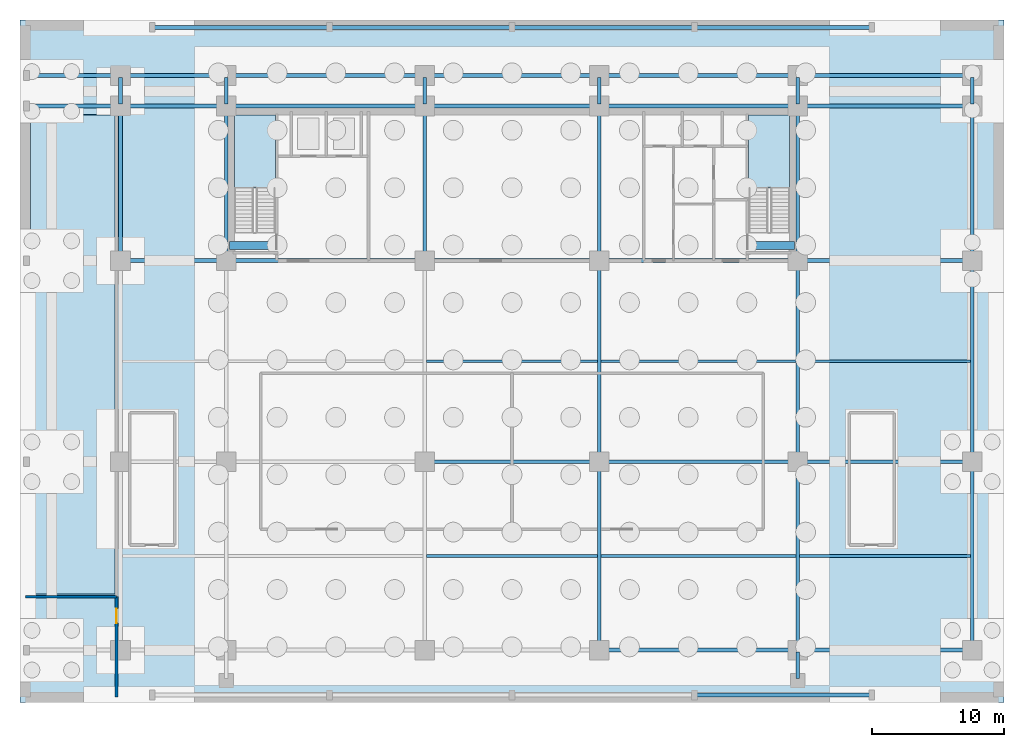
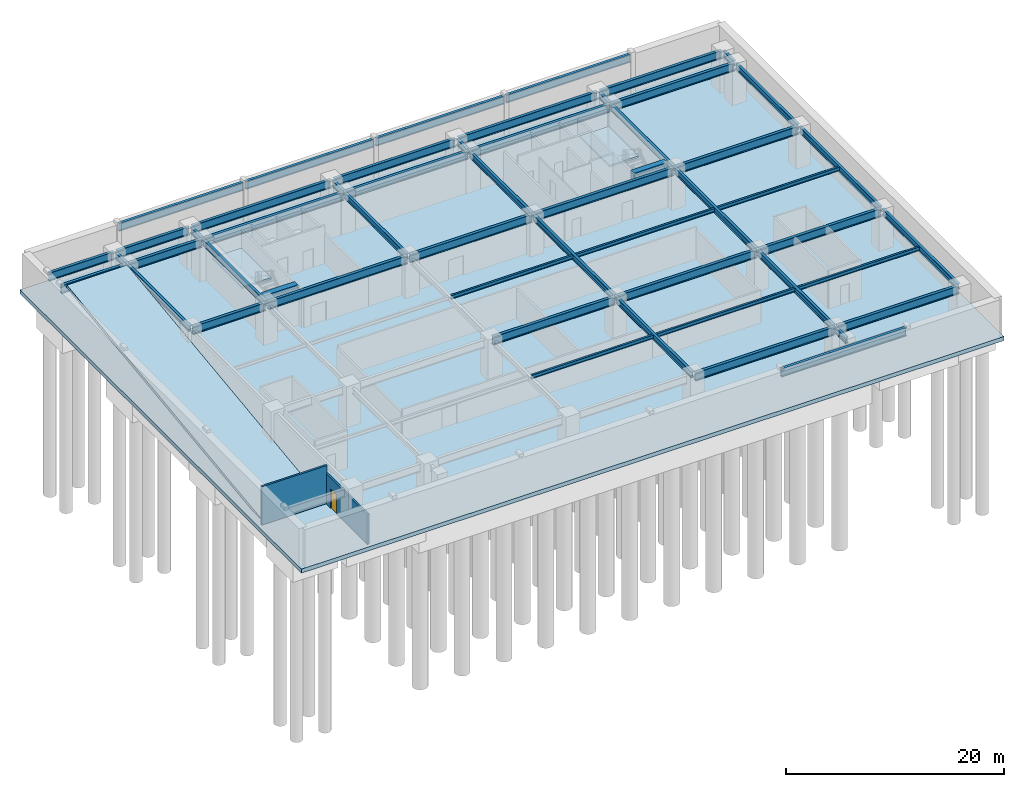
# One storey, part 3 of 9: 54 beams, 4 slabs, 2 walls, 1 door, 1 opening, 2 elements without a shape of their own.
"""IFC4 building model written with IfcOpenShell, lengths in metres."""

from ifc_helpers import new_model, si_unit, direction, frame, frame_2d, origin, origin_2d, place, context, subcontext, project, spatial, polyline, rectangle, i_section, outline, extrude, source, transform, mapped, material, layer, layer_set, material_profile, profile_set, type_object, element, fill, aggregate, save


model = new_model("IFC4")

# Units and contexts
model_context = context("Model", 3, precision=1e-05, world=origin(), true_north=direction((0.0, 1.0)))
body_context = subcontext(model_context, "Body", "Model", "MODEL_VIEW")
ifc_project = project(units=[si_unit("LENGTHUNIT", "METRE"), si_unit("AREAUNIT", "SQUARE_METRE"), si_unit("VOLUMEUNIT", "CUBIC_METRE"), si_unit("PLANEANGLEUNIT", "RADIAN"), si_unit("MASSUNIT", "GRAM", prefix="KILO")], contexts=[model_context])

# Site, building, storey
site_placement = place(None, origin())
site = spatial("IfcSite", under=ifc_project, at=site_placement, CompositionType="ELEMENT")
building_placement = place(site_placement, origin())
building = spatial("IfcBuilding", under=site, at=building_placement, Name="Trelvane Seafront Commons", CompositionType="ELEMENT")
storey_placement = place(building_placement, frame((0.0, 0.0, -13.199951171875)))
storey = spatial("IfcBuildingStorey", under=building, at=storey_placement, Name="B03", CompositionType="ELEMENT", Elevation=-13.199951171875)

# Beams
ifc_material_1 = material(Name="Steel SM355 (S355)", Category="steel")
ifc_material_profile_1 = material_profile(ifc_material_1, i_section(OverallWidth=0.300048828125, OverallDepth=0.89990234375, WebThickness=0.01611328125, FlangeThickness=0.028076171875, at=origin_2d()), Name="H-900x300x16x28")
ifc_profile_set_1 = profile_set([ifc_material_profile_1], Name="Steel SM355 (S355)")
beam_type_1 = type_object("IfcBeamType", Name="STR-BM-H900", PredefinedType="BEAM", material=ifc_profile_set_1)
shared_shape_1 = source(origin(), body_context, "Body", "SweptSolid", [
    extrude(i_section(OverallWidth=0.300048828125, OverallDepth=0.89990234375, WebThickness=0.01611328125, FlangeThickness=0.028076171875, at=origin_2d()), origin(), (0.0, 0.0, 1.0), 13.175048828125),
])
for number, where, z_axis, x_axis, name in (
    (1, (51.112548828125, 0.550048828125, 3.829833984375), (1.0, 0.0, 0.0), (0.0, 1.0, 0.0), "B03 Primary Girder G-04"),
    (2, (10.112548828125, 51.050048828125, 3.829833984375), (1.0, 0.0, 0.0), (0.0, 1.0, 0.0), "B03 Primary Girder G-35"),
    (3, (51.112548828125, 51.050048828125, 3.829833984375), (1.0, 0.0, 0.0), (0.0, 1.0, 0.0), "B03 Primary Girder G-38"),
):
    element("IfcBeam", number, at=place(storey_placement, frame(where, z_axis=z_axis, x_axis=x_axis)), inside=storey, type_object=beam_type_1, Name=name, PredefinedType="BEAM", context=body_context, shape_type="MappedRepresentation", body=[
        mapped(shared_shape_1, transform((0.0, 0.0, 0.0), x_axis=(1.0, 0.0, 0.0), y_axis=(0.0, 1.0, 0.0), z_axis=(0.0, 0.0, 1.0), scale=1.0)),
    ])
shared_shape_2 = source(origin(), body_context, "Body", "SweptSolid", [
    extrude(i_section(OverallWidth=0.300048828125, OverallDepth=0.89990234375, WebThickness=0.01611328125, FlangeThickness=0.028076171875, at=origin_2d()), origin(), (0.0, 0.0, 1.0), 13.574951171875),
])
for number, where, z_axis, x_axis, name in (
    (4, (23.512451171875, 51.050048828125, 3.829833984375), (1.0, 0.0, 0.0), (0.0, 1.0, 0.0), "B03 Primary Girder G-36"),
    (5, (37.3125, 51.050048828125, 3.829833984375), (1.0, 0.0, 0.0), (0.0, 1.0, 0.0), "B03 Primary Girder G-37"),
):
    element("IfcBeam", number, at=place(storey_placement, frame(where, z_axis=z_axis, x_axis=x_axis)), inside=storey, type_object=beam_type_1, Name=name, PredefinedType="BEAM", context=body_context, shape_type="MappedRepresentation", body=[
        mapped(shared_shape_2, transform((0.0, 0.0, 0.0), x_axis=(1.0, 0.0, 0.0), y_axis=(0.0, 1.0, 0.0), z_axis=(0.0, 0.0, 1.0), scale=1.0)),
    ])
shared_shape_3 = source(origin(), body_context, "Body", "SweptSolid", [
    extrude(i_section(OverallWidth=0.300048828125, OverallDepth=0.89990234375, WebThickness=0.01611328125, FlangeThickness=0.028076171875, at=origin_2d()), origin(), (0.0, 0.0, 1.0), 6.83740234375),
])
for number, where, z_axis, x_axis, name in (
    (6, (0.612548828125, 45.10009765625, 3.829833984375), (1.0, 0.0, 0.0), (0.0, 1.0, 0.0), "B03 Primary Girder G-23"),
    (7, (0.612548828125, 47.39990234375, 3.829833984375), (1.0, 0.0, 0.0), (0.0, 1.0, 0.0), "B03 Primary Girder G-29"),
):
    element("IfcBeam", number, at=place(storey_placement, frame(where, z_axis=z_axis, x_axis=x_axis)), inside=storey, type_object=beam_type_1, Name=name, PredefinedType="BEAM", context=body_context, shape_type="MappedRepresentation", body=[
        mapped(shared_shape_3, transform((0.0, 0.0, 0.0), x_axis=(1.0, 0.0, 0.0), y_axis=(0.0, 1.0, 0.0), z_axis=(0.0, 0.0, 1.0), scale=1.0)),
    ])
shared_shape_4 = source(origin(), body_context, "Body", "SweptSolid", [
    extrude(i_section(OverallWidth=0.300048828125, OverallDepth=0.89990234375, WebThickness=0.01611328125, FlangeThickness=0.028076171875, at=origin_2d()), origin(), (0.0, 0.0, 1.0), 7.699951171875),
])
for number, where, z_axis, x_axis, name in (
    (8, (7.75, 33.39990234375, 3.829833984375), (1.0, 0.0, 0.0), (0.0, 1.0, 0.0), "B03 Primary Girder G-18"),
    (9, (7.75, 45.10009765625, 3.829833984375), (1.0, 0.0, 0.0), (0.0, 1.0, 0.0), "B03 Primary Girder G-24"),
    (10, (7.75, 47.39990234375, 3.829833984375), (1.0, 0.0, 0.0), (0.0, 1.0, 0.0), "B03 Primary Girder G-30"),
):
    element("IfcBeam", number, at=place(storey_placement, frame(where, z_axis=z_axis, x_axis=x_axis)), inside=storey, type_object=beam_type_1, Name=name, PredefinedType="BEAM", context=body_context, shape_type="MappedRepresentation", body=[
        mapped(shared_shape_4, transform((0.0, 0.0, 0.0), x_axis=(1.0, 0.0, 0.0), y_axis=(0.0, 1.0, 0.0), z_axis=(0.0, 0.0, 1.0), scale=1.0)),
    ])
shared_shape_5 = source(origin(), body_context, "Body", "SweptSolid", [
    extrude(i_section(OverallWidth=0.300048828125, OverallDepth=0.89990234375, WebThickness=0.01611328125, FlangeThickness=0.028076171875, at=origin_2d()), origin(), (0.0, 0.0, 1.0), 14.699951171875),
])
for number, where, z_axis, x_axis, name in (
    (11, (43.949951171875, 3.949951171875, 3.829833984375), (1.0, 0.0, 0.0), (0.0, 1.0, 0.0), "B03 Primary Girder G-09"),
    (12, (43.949951171875, 18.199951171875, 3.829833984375), (1.0, 0.0, 0.0), (0.0, 1.0, 0.0), "B03 Primary Girder G-15"),
    (13, (15.75, 33.39990234375, 3.829833984375), (1.0, 0.0, 0.0), (0.0, 1.0, 0.0), "B03 Primary Girder G-19"),
    (14, (43.949951171875, 33.39990234375, 3.829833984375), (1.0, 0.0, 0.0), (0.0, 1.0, 0.0), "B03 Primary Girder G-21"),
    (15, (15.75, 45.10009765625, 3.829833984375), (1.0, 0.0, 0.0), (0.0, 1.0, 0.0), "B03 Primary Girder G-25"),
    (16, (43.949951171875, 45.10009765625, 3.829833984375), (1.0, 0.0, 0.0), (0.0, 1.0, 0.0), "B03 Primary Girder G-27"),
    (17, (15.75, 47.39990234375, 3.829833984375), (1.0, 0.0, 0.0), (0.0, 1.0, 0.0), "B03 Primary Girder G-31"),
    (18, (43.949951171875, 47.39990234375, 3.829833984375), (1.0, 0.0, 0.0), (0.0, 1.0, 0.0), "B03 Primary Girder G-33"),
):
    element("IfcBeam", number, at=place(storey_placement, frame(where, z_axis=z_axis, x_axis=x_axis)), inside=storey, type_object=beam_type_1, Name=name, PredefinedType="BEAM", context=body_context, shape_type="MappedRepresentation", body=[
        mapped(shared_shape_5, transform((0.0, 0.0, 0.0), x_axis=(1.0, 0.0, 0.0), y_axis=(0.0, 1.0, 0.0), z_axis=(0.0, 0.0, 1.0), scale=1.0)),
    ])
shared_shape_6 = source(origin(), body_context, "Body", "SweptSolid", [
    extrude(i_section(OverallWidth=0.300048828125, OverallDepth=0.89990234375, WebThickness=0.01611328125, FlangeThickness=0.028076171875, at=origin_2d()), origin(), (0.0, 0.0, 1.0), 12.89990234375),
])
for number, where, z_axis, x_axis, name in (
    (19, (30.75, 18.199951171875, 3.829833984375), (1.0, 0.0, 0.0), (0.0, 1.0, 0.0), "B03 Primary Girder G-14"),
    (20, (30.75, 33.39990234375, 3.829833984375), (1.0, 0.0, 0.0), (0.0, 1.0, 0.0), "B03 Primary Girder G-20"),
    (21, (30.75, 45.10009765625, 3.829833984375), (1.0, 0.0, 0.0), (0.0, 1.0, 0.0), "B03 Primary Girder G-26"),
    (22, (30.75, 47.39990234375, 3.829833984375), (1.0, 0.0, 0.0), (0.0, 1.0, 0.0), "B03 Primary Girder G-32"),
):
    element("IfcBeam", number, at=place(storey_placement, frame(where, z_axis=z_axis, x_axis=x_axis)), inside=storey, type_object=beam_type_1, Name=name, PredefinedType="BEAM", context=body_context, shape_type="MappedRepresentation", body=[
        mapped(shared_shape_6, transform((0.0, 0.0, 0.0), x_axis=(1.0, 0.0, 0.0), y_axis=(0.0, 1.0, 0.0), z_axis=(0.0, 0.0, 1.0), scale=1.0)),
    ])
shared_shape_7 = source(origin(), body_context, "Body", "SweptSolid", [
    extrude(i_section(OverallWidth=0.300048828125, OverallDepth=0.89990234375, WebThickness=0.01611328125, FlangeThickness=0.028076171875, at=origin_2d()), origin(), (0.0, 0.0, 1.0), 12.900146484375),
])
for number, where, z_axis, x_axis, name in (
    (23, (58.949951171875, 3.949951171875, 3.829833984375), (1.0, 0.0, 0.0), (0.0, 1.0, 0.0), "B03 Primary Girder G-10"),
    (24, (58.949951171875, 18.199951171875, 3.829833984375), (1.0, 0.0, 0.0), (0.0, 1.0, 0.0), "B03 Primary Girder G-16"),
    (25, (58.949951171875, 33.39990234375, 3.829833984375), (1.0, 0.0, 0.0), (0.0, 1.0, 0.0), "B03 Primary Girder G-22"),
    (26, (58.949951171875, 45.10009765625, 3.829833984375), (1.0, 0.0, 0.0), (0.0, 1.0, 0.0), "B03 Primary Girder G-28"),
    (27, (58.949951171875, 47.39990234375, 3.829833984375), (1.0, 0.0, 0.0), (0.0, 1.0, 0.0), "B03 Primary Girder G-34"),
):
    element("IfcBeam", number, at=place(storey_placement, frame(where, z_axis=z_axis, x_axis=x_axis)), inside=storey, type_object=beam_type_1, Name=name, PredefinedType="BEAM", context=body_context, shape_type="MappedRepresentation", body=[
        mapped(shared_shape_7, transform((0.0, 0.0, 0.0), x_axis=(1.0, 0.0, 0.0), y_axis=(0.0, 1.0, 0.0), z_axis=(0.0, 0.0, 1.0), scale=1.0)),
    ])
ifc_material_profile_2 = material_profile(ifc_material_1, i_section(OverallWidth=0.280029296875, OverallDepth=0.64990234375, WebThickness=0.012939453125, FlangeThickness=0.02197265625, at=origin_2d()), Name="H-650x280x13x22")
ifc_profile_set_2 = profile_set([ifc_material_profile_2], Name="Steel SM355 (S355)")
beam_type_2 = type_object("IfcBeamType", Name="STR-BM-H650", PredefinedType="BEAM", material=ifc_profile_set_2)
shared_shape_8 = source(origin(), body_context, "Body", "SweptSolid", [
    extrude(i_section(OverallWidth=0.280029296875, OverallDepth=0.64990234375, WebThickness=0.012939453125, FlangeThickness=0.02197265625, at=origin_2d()), origin(), (0.0, 0.0, 1.0), 13.949951171875),
])
for number, where, z_axis, x_axis, name in (
    (28, (43.800048828125, 4.10009765625, 3.954833984375), (0.0, 1.0, 0.0), (-1.0, 0.0, 0.0), "B03 Primary Girder G-52"),
    (29, (58.800048828125, 4.10009765625, 3.954833984375), (0.0, 1.0, 0.0), (-1.0, 0.0, 0.0), "B03 Primary Girder G-57"),
    (30, (72.0, 4.10009765625, 3.954833984375), (0.0, 1.0, 0.0), (-1.0, 0.0, 0.0), "B03 Primary Girder G-61"),
):
    element("IfcBeam", number, at=place(storey_placement, frame(where, z_axis=z_axis, x_axis=x_axis)), inside=storey, type_object=beam_type_2, Name=name, PredefinedType="BEAM", context=body_context, shape_type="MappedRepresentation", body=[
        mapped(shared_shape_8, transform((0.0, 0.0, 0.0), x_axis=(1.0, 0.0, 0.0), y_axis=(0.0, 1.0, 0.0), z_axis=(0.0, 0.0, 1.0), scale=1.0)),
    ])
shared_shape_9 = source(origin(), body_context, "Body", "SweptSolid", [
    extrude(i_section(OverallWidth=0.280029296875, OverallDepth=0.64990234375, WebThickness=0.012939453125, FlangeThickness=0.02197265625, at=origin_2d()), origin(), (0.0, 0.0, 1.0), 14.89990234375),
])
for number, where, z_axis, x_axis, name in (
    (31, (43.800048828125, 18.35009765625, 3.954833984375), (0.0, 1.0, 0.0), (-1.0, 0.0, 0.0), "B03 Primary Girder G-53"),
    (32, (58.800048828125, 18.35009765625, 3.954833984375), (0.0, 1.0, 0.0), (-1.0, 0.0, 0.0), "B03 Primary Girder G-58"),
    (33, (72.0, 18.35009765625, 3.954833984375), (0.0, 1.0, 0.0), (-1.0, 0.0, 0.0), "B03 Primary Girder G-62"),
):
    element("IfcBeam", number, at=place(storey_placement, frame(where, z_axis=z_axis, x_axis=x_axis)), inside=storey, type_object=beam_type_2, Name=name, PredefinedType="BEAM", context=body_context, shape_type="MappedRepresentation", body=[
        mapped(shared_shape_9, transform((0.0, 0.0, 0.0), x_axis=(1.0, 0.0, 0.0), y_axis=(0.0, 1.0, 0.0), z_axis=(0.0, 0.0, 1.0), scale=1.0)),
    ])
shared_shape_10 = source(origin(), body_context, "Body", "SweptSolid", [
    extrude(i_section(OverallWidth=0.280029296875, OverallDepth=0.64990234375, WebThickness=0.012939453125, FlangeThickness=0.02197265625, at=origin_2d()), origin(), (0.0, 0.0, 1.0), 11.39990234375),
])
for number, where, z_axis, x_axis, name in (
    (34, (7.60009765625, 33.550048828125, 3.954833984375), (0.0, 1.0, 0.0), (-1.0, 0.0, 0.0), "B03 Primary Girder G-41"),
    (35, (15.60009765625, 33.550048828125, 3.954833984375), (0.0, 1.0, 0.0), (-1.0, 0.0, 0.0), "B03 Primary Girder G-46"),
    (36, (30.60009765625, 33.550048828125, 3.954833984375), (0.0, 1.0, 0.0), (-1.0, 0.0, 0.0), "B03 Primary Girder G-50"),
    (37, (43.800048828125, 33.550048828125, 3.954833984375), (0.0, 1.0, 0.0), (-1.0, 0.0, 0.0), "B03 Primary Girder G-54"),
    (38, (58.800048828125, 33.550048828125, 3.954833984375), (0.0, 1.0, 0.0), (-1.0, 0.0, 0.0), "B03 Primary Girder G-59"),
    (39, (72.0, 33.550048828125, 3.954833984375), (0.0, 1.0, 0.0), (-1.0, 0.0, 0.0), "B03 Primary Girder G-63"),
):
    element("IfcBeam", number, at=place(storey_placement, frame(where, z_axis=z_axis, x_axis=x_axis)), inside=storey, type_object=beam_type_2, Name=name, PredefinedType="BEAM", context=body_context, shape_type="MappedRepresentation", body=[
        mapped(shared_shape_10, transform((0.0, 0.0, 0.0), x_axis=(1.0, 0.0, 0.0), y_axis=(0.0, 1.0, 0.0), z_axis=(0.0, 0.0, 1.0), scale=1.0)),
    ])
shared_shape_11 = source(origin(), body_context, "Body", "SweptSolid", [
    extrude(i_section(OverallWidth=0.280029296875, OverallDepth=0.64990234375, WebThickness=0.012939453125, FlangeThickness=0.02197265625, at=origin_2d()), origin(), (0.0, 0.0, 1.0), 2.0),
])
for number, where, z_axis, x_axis, name in (
    (40, (7.60009765625, 45.25, 3.954833984375), (0.0, 1.0, 0.0), (-1.0, 0.0, 0.0), "B03 Primary Girder G-42"),
    (41, (15.60009765625, 45.25, 3.954833984375), (0.0, 1.0, 0.0), (-1.0, 0.0, 0.0), "B03 Primary Girder G-47"),
    (42, (30.60009765625, 45.25, 3.954833984375), (0.0, 1.0, 0.0), (-1.0, 0.0, 0.0), "B03 Primary Girder G-51"),
    (43, (43.800048828125, 45.25, 3.954833984375), (0.0, 1.0, 0.0), (-1.0, 0.0, 0.0), "B03 Primary Girder G-55"),
    (44, (58.800048828125, 1.800048828125, 3.954833984375), (0.0, 1.0, 0.0), (-1.0, 0.0, 0.0), "B03 Primary Girder G-56"),
    (45, (58.800048828125, 45.25, 3.954833984375), (0.0, 1.0, 0.0), (-1.0, 0.0, 0.0), "B03 Primary Girder G-60"),
    (46, (72.0, 45.25, 3.954833984375), (0.0, 1.0, 0.0), (-1.0, 0.0, 0.0), "B03 Primary Girder G-64"),
):
    element("IfcBeam", number, at=place(storey_placement, frame(where, z_axis=z_axis, x_axis=x_axis)), inside=storey, type_object=beam_type_2, Name=name, PredefinedType="BEAM", context=body_context, shape_type="MappedRepresentation", body=[
        mapped(shared_shape_11, transform((0.0, 0.0, 0.0), x_axis=(1.0, 0.0, 0.0), y_axis=(0.0, 1.0, 0.0), z_axis=(0.0, 0.0, 1.0), scale=1.0)),
    ])
ifc_material_profile_3 = material_profile(ifc_material_1, i_section(OverallWidth=0.199951171875, OverallDepth=0.39990234375, WebThickness=0.008056640625, FlangeThickness=0.012939453125, at=origin_2d()), Name="H-400x200x8x13")
ifc_profile_set_3 = profile_set([ifc_material_profile_3], Name="Steel SM355 (S355)")
beam_type_3 = type_object("IfcBeamType", Name="STR-JST-H400", PredefinedType="JOIST", material=ifc_profile_set_3)
shared_shape_12 = source(origin(), body_context, "Body", "SweptSolid", [
    extrude(i_section(OverallWidth=0.199951171875, OverallDepth=0.39990234375, WebThickness=0.008056640625, FlangeThickness=0.012939453125, at=origin_2d()), origin(), (0.0, 0.0, 1.0), 14.719970703125),
])
for number, where, z_axis, x_axis, name in (
    (47, (43.93994140625, 11.074951171875, 4.079833984375), (1.0, 0.0, 0.0), (0.0, 1.0, 0.0), "B03 Secondary Floor Joist B-68"),
    (48, (43.93994140625, 25.800048828125, 4.079833984375), (1.0, 0.0, 0.0), (0.0, 1.0, 0.0), "B03 Secondary Floor Joist B-73"),
):
    element("IfcBeam", number, at=place(storey_placement, frame(where, z_axis=z_axis, x_axis=x_axis)), inside=storey, type_object=beam_type_3, Name=name, PredefinedType="JOIST", context=body_context, shape_type="MappedRepresentation", body=[
        mapped(shared_shape_12, transform((0.0, 0.0, 0.0), x_axis=(1.0, 0.0, 0.0), y_axis=(0.0, 1.0, 0.0), z_axis=(0.0, 0.0, 1.0), scale=1.0)),
    ])
shared_shape_13 = source(origin(), body_context, "Body", "SweptSolid", [
    extrude(i_section(OverallWidth=0.199951171875, OverallDepth=0.39990234375, WebThickness=0.008056640625, FlangeThickness=0.012939453125, at=origin_2d()), origin(), (0.0, 0.0, 1.0), 12.919921875),
])
for number, where, z_axis, x_axis, name in (
    (49, (30.739990234375, 11.074951171875, 4.079833984375), (1.0, 0.0, 0.0), (0.0, 1.0, 0.0), "B03 Secondary Floor Joist B-67"),
    (50, (30.739990234375, 25.800048828125, 4.079833984375), (1.0, 0.0, 0.0), (0.0, 1.0, 0.0), "B03 Secondary Floor Joist B-72"),
):
    element("IfcBeam", number, at=place(storey_placement, frame(where, z_axis=z_axis, x_axis=x_axis)), inside=storey, type_object=beam_type_3, Name=name, PredefinedType="JOIST", context=body_context, shape_type="MappedRepresentation", body=[
        mapped(shared_shape_13, transform((0.0, 0.0, 0.0), x_axis=(1.0, 0.0, 0.0), y_axis=(0.0, 1.0, 0.0), z_axis=(0.0, 0.0, 1.0), scale=1.0)),
    ])
shared_shape_14 = source(origin(), body_context, "Body", "SweptSolid", [
    extrude(i_section(OverallWidth=0.199951171875, OverallDepth=0.39990234375, WebThickness=0.008056640625, FlangeThickness=0.012939453125, at=origin_2d()), origin(), (0.0, 0.0, 1.0), 12.920166015625),
])
for number, where, z_axis, x_axis, name in (
    (51, (58.93994140625, 11.074951171875, 4.079833984375), (1.0, 0.0, 0.0), (0.0, 1.0, 0.0), "B03 Secondary Floor Joist B-69"),
    (52, (58.93994140625, 25.800048828125, 4.079833984375), (1.0, 0.0, 0.0), (0.0, 1.0, 0.0), "B03 Secondary Floor Joist B-74"),
):
    element("IfcBeam", number, at=place(storey_placement, frame(where, z_axis=z_axis, x_axis=x_axis)), inside=storey, type_object=beam_type_3, Name=name, PredefinedType="JOIST", context=body_context, shape_type="MappedRepresentation", body=[
        mapped(shared_shape_14, transform((0.0, 0.0, 0.0), x_axis=(1.0, 0.0, 0.0), y_axis=(0.0, 1.0, 0.0), z_axis=(0.0, 0.0, 1.0), scale=1.0)),
    ])
ifc_material_2 = material(Name="Concrete C60/75", Category="concrete")
ifc_material_profile_4 = material_profile(ifc_material_2, rectangle(XDim=0.60009765625, YDim=0.89990234375, at=origin_2d()), Name="RC-600x900")
ifc_profile_set_4 = profile_set([ifc_material_profile_4], Name="Concrete C60/75")
beam_type_4 = type_object("IfcBeamType", Name="STR-LNT-RC600x900", PredefinedType="LINTEL", material=ifc_profile_set_4)
shared_shape_15 = source(origin(), body_context, "Body", "SweptSolid", [
    extrude(rectangle(XDim=0.60009765625, YDim=0.89990234375, at=origin_2d()), origin(), (0.0, 0.0, 1.0), 3.5498046875),
])
beam_1_placement = place(storey_placement, frame((15.85009765625, 34.550048828125, 3.829833984375), z_axis=(1.0, 0.0, 0.0), x_axis=(0.0, 1.0, 0.0)))
element("IfcBeam", 53, at=beam_1_placement, inside=storey, type_object=beam_type_4, Name="B03 Core Coupling Lintel Beam CB-75", PredefinedType="LINTEL", context=body_context, shape_type="MappedRepresentation", body=[
    mapped(shared_shape_15, transform((0.0, 0.0, 0.0), x_axis=(1.0, 0.0, 0.0), y_axis=(0.0, 1.0, 0.0), z_axis=(0.0, 0.0, 1.0), scale=1.0)),
])
shared_shape_16 = source(origin(), body_context, "Body", "SweptSolid", [
    extrude(rectangle(XDim=0.60009765625, YDim=0.89990234375, at=origin_2d()), origin(), (0.0, 0.0, 1.0), 3.550048828125),
])
beam_2_placement = place(storey_placement, frame((55.0, 34.550048828125, 3.829833984375), z_axis=(1.0, 0.0, 0.0), x_axis=(0.0, 1.0, 0.0)))
element("IfcBeam", 54, at=beam_2_placement, inside=storey, type_object=beam_type_4, Name="B03 Core Coupling Lintel Beam CB-76", PredefinedType="LINTEL", context=body_context, shape_type="MappedRepresentation", body=[
    mapped(shared_shape_16, transform((0.0, 0.0, 0.0), x_axis=(1.0, 0.0, 0.0), y_axis=(0.0, 1.0, 0.0), z_axis=(0.0, 0.0, 1.0), scale=1.0)),
])

# Stair, slab
ifc_material_3 = material(Name="Concrete C40/50", Category="concrete")
stair_type_1 = type_object("IfcStairType", Name="ARCH-STR-ST-1-R26-177", PredefinedType="HALF_TURN_STAIR", material=ifc_material_3)
stair_1_placement = place(storey_placement, origin())
stair_1 = element("IfcStair", 55, at=stair_1_placement, inside=storey, type_object=stair_type_1, Name="B03 West Protected Firefighting Exit Stair ST-1", PredefinedType="HALF_TURN_STAIR")
ifc_layer_1 = layer(ifc_material_3, 0.199951171875, Name="ARCH-LND-200")
ifc_layer_set_1 = layer_set([ifc_layer_1], Name="Concrete C40/50")
slab_type_1 = type_object("IfcSlabType", Name="ARCH-LND-200", PredefinedType="LANDING", material=ifc_layer_set_1)
slab_1_placement = place(storey_placement, frame((0.0, 0.0, 2.099853515625)))
slab_1 = element("IfcSlab", 56, at=slab_1_placement, type_object=slab_type_1, Name="ST-1 landing 1", PredefinedType="LANDING", context=body_context, shape_type="SweptSolid", body=[
    extrude(outline(polyline([(19.300048828125, 38.909912109375), (19.300048828125, 44.39990234375), (16.199951171875, 44.39990234375), (16.199951171875, 38.909912109375), (19.300048828125, 38.909912109375)])), origin(), (0.0, 0.0, 1.0), 0.2001953125),
])
aggregate(stair_1, [slab_1])

stair_type_2 = type_object("IfcStairType", Name="ARCH-STR-ST-2-R26-177", PredefinedType="HALF_TURN_STAIR", material=ifc_material_3)
stair_2_placement = place(storey_placement, origin())
stair_2 = element("IfcStair", 57, at=stair_2_placement, inside=storey, type_object=stair_type_2, Name="B03 East Protected Firefighting Exit Stair ST-2", PredefinedType="HALF_TURN_STAIR")
slab_2_placement = place(storey_placement, frame((0.0, 0.0, 2.099853515625)))
slab_2 = element("IfcSlab", 58, at=slab_2_placement, type_object=slab_type_1, Name="ST-2 landing 1", PredefinedType="LANDING", context=body_context, shape_type="SweptSolid", body=[
    extrude(outline(polyline([(58.199951171875, 38.909912109375), (58.199951171875, 44.39990234375), (55.10009765625, 44.39990234375), (55.10009765625, 38.909912109375), (58.199951171875, 38.909912109375)])), origin(), (0.0, 0.0, 1.0), 0.2001953125),
])
aggregate(stair_2, [slab_2])

# Slabs
ifc_material_4 = material(Name="Concrete C50/60", Category="concrete")
ifc_layer_2 = layer(ifc_material_4, 0.449951171875, Name="STR-SLB-BASE450")
ifc_layer_set_2 = layer_set([ifc_layer_2], Name="Concrete C50/60")
slab_type_2 = type_object("IfcSlabType", Name="STR-SLB-BASE450", PredefinedType="BASESLAB", material=ifc_layer_set_2)
slab_3_placement = place(storey_placement, frame((0.0, 0.0, -0.449951171875)))
element("IfcSlab", 59, at=slab_3_placement, inside=storey, type_object=slab_type_2, Name="B03 Structural Floor Slab", PredefinedType="BASESLAB", context=body_context, shape_type="SweptSolid", body=[
    extrude(outline(polyline([(0.0, 0.0), (74.39990234375, 0.0), (74.39990234375, 51.60009765625), (0.0, 51.60009765625), (0.0, 0.0)]), holes=[polyline([(0.800048828125, 8.199951171875), (0.800048828125, 10.6201171875), (7.199951171875, 10.6201171875), (7.199951171875, 8.199951171875), (0.800048828125, 8.199951171875)])]), origin(), (0.0, 0.0, 1.0), 0.449951171875),
])
ifc_layer_3 = layer(ifc_material_3, 0.300048828125, Name="STR-SLB-VRAMP300")
ifc_layer_set_3 = layer_set([ifc_layer_3], Name="Concrete C40/50")
slab_type_3 = type_object("IfcSlabType", Name="STR-SLB-VRAMP300", PredefinedType="USERDEFINED", material=ifc_layer_set_3)
slab_4_placement = place(storey_placement, frame((0.800048828125, 8.199951171875, 0.0), z_axis=(0.0, -0.126054369535, 0.992023334363), x_axis=(1.0, 0.0, 0.0)))
element("IfcSlab", 60, at=slab_4_placement, inside=storey, type_object=slab_type_3, Name="Basement Two-Way Car Park Vehicle Ramp Slab R-B3", ObjectType="VEHICLE RAMP", PredefinedType="USERDEFINED", context=body_context, shape_type="SweptSolid", body=[
    extrude(outline(polyline([(0.0, 0.0), (6.39990234375, 0.0), (6.39990234375, 36.491027900174885), (0.0, 36.491027900174885), (0.0, 0.0)])), origin(), (0.0, 0.0, -1.0), 0.300048828125),
])

# Wall, opening, door
ifc_layer_4 = layer(ifc_material_3, 0.199951171875, Name="ARCH-WALL-FIRE200")
ifc_layer_set_4 = layer_set([ifc_layer_4], Name="Concrete C40/50")
wall_type = type_object("IfcWallType", Name="ARCH-WALL-FIRE200", PredefinedType="PARTITIONING", material=ifc_layer_set_4)
wall_1_placement = place(storey_placement, frame((7.300048828125, 0.39990234375, 0.0), z_axis=(0.0, 0.0, 1.0), x_axis=(0.0, 1.0, 0.0)))
wall_1 = element("IfcWall", 61, at=wall_1_placement, inside=storey, type_object=wall_type, Name="W-B03-B3W-E-032", PredefinedType="PARTITIONING", context=body_context, shape_type="SweptSolid", body=[
    extrude(rectangle(XDim=7.60009765625, YDim=0.199951171875, at=frame_2d((3.800048828125, 0.0))), origin(), (0.0, 0.0, 1.0), 3.3798828125),
])
opening_placement = place(wall_1_placement, frame((5.60009765625, 0.0, 0.0)))
opening = element("IfcOpeningElement", 62, at=opening_placement, cuts=wall_1, Name="Opening FD-B03-16", PredefinedType="OPENING", context=body_context, shape_type="SweptSolid", body=[
    extrude(rectangle(XDim=1.10009765625, YDim=2.14990234375, at=frame_2d((0.550048828125, 1.074951171875))), frame((0.0, 0.10986328125, 0.0), z_axis=(0.0, -1.0, 0.0), x_axis=(1.0, 0.0, 0.0)), (0.0, 0.0, 1.0), 0.219970703125),
])
ifc_material_5 = material(Name="Powder-coated aluminium frame", Category="aluminium")
door_type = type_object("IfcDoorType", Name="ARCH-DR-FD60-1100", OperationType="NOTDEFINED", PredefinedType="DOOR", material=ifc_material_5)
shared_shape_17 = source(origin(), body_context, "Body", "SweptSolid", [
    extrude(rectangle(XDim=1.10009765625, YDim=2.14990234375, at=frame_2d((0.550048828125, 1.074951171875))), frame((0.0, 0.02490234375, 0.0), z_axis=(0.0, -1.0, 0.0), x_axis=(1.0, 0.0, 0.0)), (0.0, 0.0, 1.0), 0.050048828125),
])
door_placement = place(opening_placement, origin())
door = element("IfcDoor", 63, at=door_placement, inside=storey, type_object=door_type, Name="B03 Door 16", OperationType="SINGLE_SWING_RIGHT", OverallHeight=2.14990234375, OverallWidth=1.10009765625, PredefinedType="DOOR", context=body_context, shape_type="MappedRepresentation", body=[
    mapped(shared_shape_17, transform((0.0, 0.0, 0.0), x_axis=(1.0, 0.0, 0.0), y_axis=(0.0, 1.0, 0.0), z_axis=(0.0, 0.0, 1.0), scale=1.0)),
])
fill(opening, door)

# Wall
wall_2_placement = place(storey_placement, frame((0.39990234375, 8.0, 0.0), z_axis=(0.0, 0.0, 1.0), x_axis=(1.0, 0.0, 0.0)))
element("IfcWall", 64, at=wall_2_placement, inside=storey, type_object=wall_type, Name="W-B03-B3W-N-033", PredefinedType="PARTITIONING", context=body_context, shape_type="SweptSolid", body=[
    extrude(rectangle(XDim=6.900146484375, YDim=0.199951171875, at=frame_2d((3.4501953125, 0.0))), origin(), (0.0, 0.0, 1.0), 4.280029296875),
])

save(model, "model.ifc")
